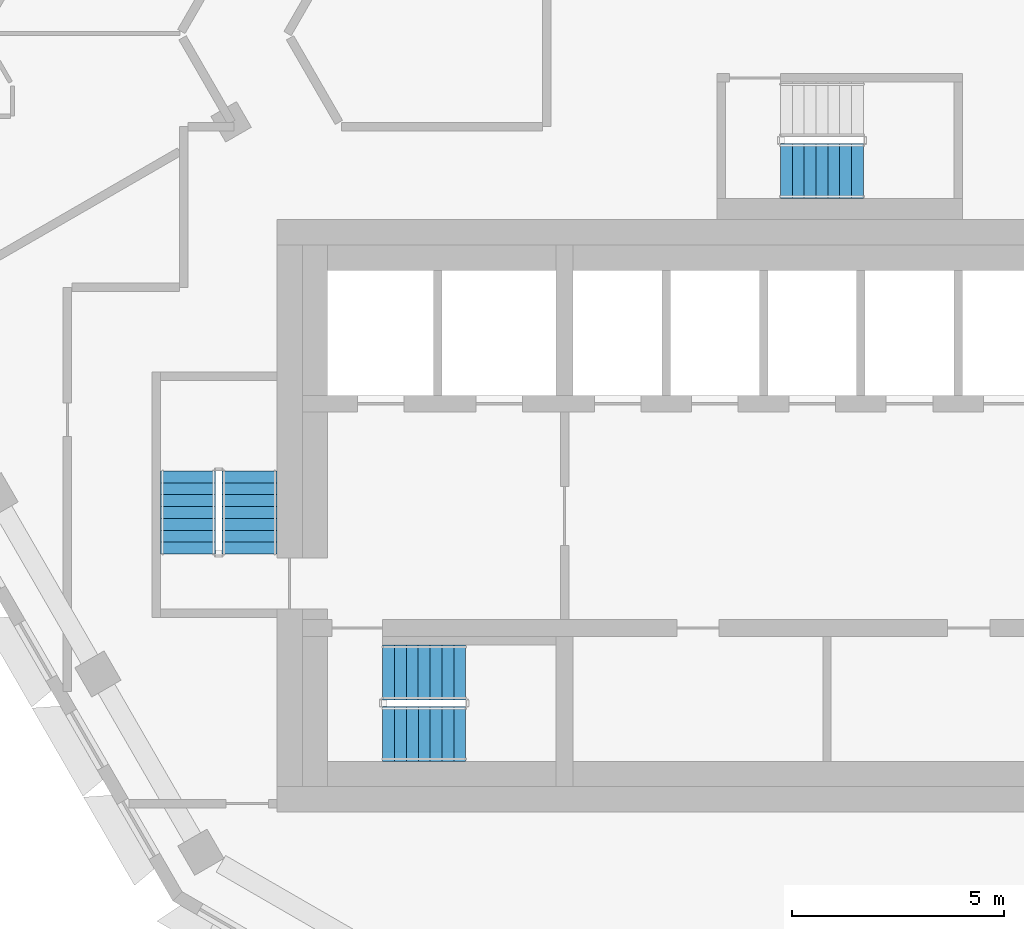
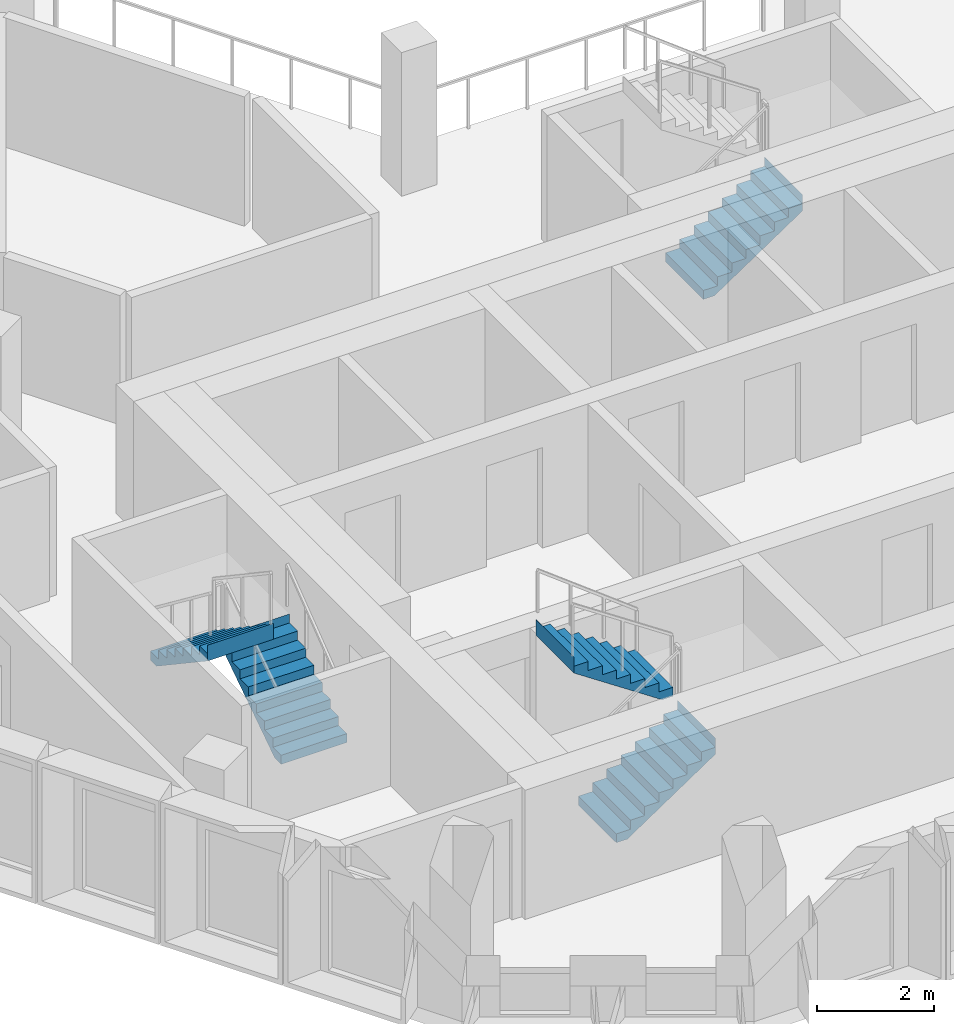
# One storey, part 12 of 18: 5 stair flights, 3 elements without a shape of their own.
"""IFC4 building model written with IfcOpenShell, lengths in metres."""

from ifc_helpers import new_model, si_unit, direction, frame, origin, place, context, subcontext, project, spatial, triangles, material, type_object, element, aggregate, save


model = new_model("IFC4")

# Units and contexts
model_context = context("Model", 3, precision=1e-05, world=origin(), true_north=direction((0.0, 1.0)))
body_context = subcontext(model_context, "Body", "Model", "MODEL_VIEW")
ifc_project = project(units=[si_unit("LENGTHUNIT", "METRE"), si_unit("AREAUNIT", "SQUARE_METRE"), si_unit("VOLUMEUNIT", "CUBIC_METRE"), si_unit("PLANEANGLEUNIT", "RADIAN"), si_unit("MASSUNIT", "GRAM", prefix="KILO")], contexts=[model_context])

# Site, building, storey
site_placement = place(None, origin())
site = spatial("IfcSite", under=ifc_project, at=site_placement, CompositionType="ELEMENT")
building_placement = place(site_placement, origin())
building = spatial("IfcBuilding", under=site, at=building_placement, Name="Beryl Residences", CompositionType="ELEMENT")
storey_placement = place(building_placement, frame((0.0, 0.0, 184.199951171875)))
storey = spatial("IfcBuildingStorey", under=building, at=storey_placement, Name="L56", CompositionType="ELEMENT", Elevation=184.199951171875)

# Stair, stair flights
ifc_material_1 = material(Name="Concrete C40/50", Category="concrete")
stair_type = type_object("IfcStairType", Name="ST1 protected exit stair, half-turn, 1300 mm flights", PredefinedType="HALF_TURN_STAIR", material=ifc_material_1)
stair_1_placement = place(storey_placement, origin())
stair_1 = element("IfcStair", 1, at=stair_1_placement, inside=storey, type_object=stair_type, Name="L56 PROTECTED EXIT STAIR ST-1", PredefinedType="HALF_TURN_STAIR")
ifc_material_2 = material(Name="Concrete C40/50", Category="concrete")
stair_flight_type = type_object("IfcStairFlightType", Name="SF1 stair flight 1300 mm", PredefinedType="STRAIGHT", material=ifc_material_2)
stair_flight_1_placement = place(storey_placement, frame((-10.800048828125, -17.14990234375, 0.0), z_axis=(0.0, 0.0, 1.0), x_axis=(1.0, 0.0, 0.0)))
stair_flight_1 = element("IfcStairFlight", 2, at=stair_flight_1_placement, type_object=stair_flight_type, Name="ST-1 flight 1", NumberOfRisers=8, NumberOfTreads=7, PredefinedType="STRAIGHT", RiserHeight=0.1875, TreadLength=0.28, context=body_context, shape_type="Tessellation", body=[
    triangles([(0.0, -0.64990234375, 0.0), (0.0, -0.324951171875, 0.0), (0.0, 0.0, 0.0), (0.0, 0.324951171875, 0.0), (0.0, 0.64990234375, 0.0), (0.0, -0.64990234375, 0.1875), (0.0, -0.324951171875, 0.1875), (0.0, 0.0, 0.1875), (0.0, 0.324951171875, 0.1875), (0.0, 0.64990234375, 0.1875), (0.280029296875, -0.64990234375, 0.1875), (0.280029296875, -0.324951171875, 0.1875), (0.280029296875, 0.0, 0.1875), (0.280029296875, 0.324951171875, 0.1875), (0.280029296875, 0.64990234375, 0.1875), (0.280029296875, -0.64990234375, 0.375), (0.280029296875, -0.324951171875, 0.375), (0.280029296875, 0.0, 0.375), (0.280029296875, 0.324951171875, 0.375), (0.280029296875, 0.64990234375, 0.375), (0.56005859375, -0.64990234375, 0.375), (0.56005859375, -0.324951171875, 0.375), (0.56005859375, 0.0, 0.375), (0.56005859375, 0.324951171875, 0.375), (0.56005859375, 0.64990234375, 0.375), (0.56005859375, -0.64990234375, 0.5625), (0.56005859375, -0.324951171875, 0.5625), (0.56005859375, 0.0, 0.5625), (0.56005859375, 0.324951171875, 0.5625), (0.56005859375, 0.64990234375, 0.5625), (0.840087890625, -0.64990234375, 0.5625), (0.840087890625, -0.324951171875, 0.5625), (0.840087890625, 0.0, 0.5625), (0.840087890625, 0.324951171875, 0.5625), (0.840087890625, 0.64990234375, 0.5625), (0.840087890625, -0.64990234375, 0.75), (0.840087890625, -0.324951171875, 0.75), (0.840087890625, 0.0, 0.75), (0.840087890625, 0.324951171875, 0.75), (0.840087890625, 0.64990234375, 0.75), (1.1201171875, -0.64990234375, 0.75), (1.1201171875, -0.324951171875, 0.75), (1.1201171875, 0.0, 0.75), (1.1201171875, 0.324951171875, 0.75), (1.1201171875, 0.64990234375, 0.75), (1.1201171875, -0.64990234375, 0.9375), (1.1201171875, -0.324951171875, 0.9375), (1.1201171875, 0.0, 0.9375), (1.1201171875, 0.324951171875, 0.9375), (1.1201171875, 0.64990234375, 0.9375), (1.39990234375, -0.64990234375, 0.9375), (1.39990234375, -0.324951171875, 0.9375), (1.39990234375, 0.0, 0.9375), (1.39990234375, 0.324951171875, 0.9375), (1.39990234375, 0.64990234375, 0.9375), (1.39990234375, -0.64990234375, 1.125), (1.39990234375, -0.324951171875, 1.125), (1.39990234375, 0.0, 1.125), (1.39990234375, 0.324951171875, 1.125), (1.39990234375, 0.64990234375, 1.125), (1.679931640625, -0.64990234375, 1.125), (1.679931640625, -0.324951171875, 1.125), (1.679931640625, 0.0, 1.125), (1.679931640625, 0.324951171875, 1.125), (1.679931640625, 0.64990234375, 1.125), (1.679931640625, -0.64990234375, 1.3125), (1.679931640625, -0.324951171875, 1.3125), (1.679931640625, 0.0, 1.3125), (1.679931640625, 0.324951171875, 1.3125), (1.679931640625, 0.64990234375, 1.3125), (1.9599609375, -0.64990234375, 1.3125), (1.9599609375, -0.324951171875, 1.3125), (1.9599609375, 0.0, 1.3125), (1.9599609375, 0.324951171875, 1.3125), (1.9599609375, 0.64990234375, 1.3125), (1.9599609375, -0.64990234375, 1.5), (1.9599609375, -0.324951171875, 1.5), (1.9599609375, 0.0, 1.5), (1.9599609375, 0.324951171875, 1.5), (1.9599609375, 0.64990234375, 1.5), (1.9609375, -0.64990234375, 1.5), (1.9609375, -0.324951171875, 1.5), (1.9609375, 0.0, 1.5), (1.9609375, 0.324951171875, 1.5), (1.9609375, 0.64990234375, 1.5), (1.9609375, -0.64990234375, 1.16796875), (1.9609375, -0.324951171875, 1.16796875), (1.9609375, 0.0, 1.16796875), (1.9609375, 0.324951171875, 1.16796875), (1.9609375, 0.64990234375, 1.16796875), (0.216796875, -0.64990234375, 0.0), (0.216796875, -0.324951171875, 0.0), (0.216796875, 0.0, 0.0), (0.216796875, 0.324951171875, 0.0), (0.216796875, 0.64990234375, 0.0)], [[1, 6, 7], [1, 7, 2], [2, 7, 8], [2, 8, 3], [3, 8, 9], [3, 9, 4], [4, 9, 10], [4, 10, 5], [6, 11, 12], [6, 12, 7], [7, 12, 13], [7, 13, 8], [8, 13, 14], [8, 14, 9], [9, 14, 15], [9, 15, 10], [11, 16, 17], [11, 17, 12], [12, 17, 18], [12, 18, 13], [13, 18, 19], [13, 19, 14], [14, 19, 20], [14, 20, 15], [16, 21, 22], [16, 22, 17], [17, 22, 23], [17, 23, 18], [18, 23, 24], [18, 24, 19], [19, 24, 25], [19, 25, 20], [21, 26, 27], [21, 27, 22], [22, 27, 28], [22, 28, 23], [23, 28, 29], [23, 29, 24], [24, 29, 30], [24, 30, 25], [26, 31, 32], [26, 32, 27], [27, 32, 33], [27, 33, 28], [28, 33, 34], [28, 34, 29], [29, 34, 35], [29, 35, 30], [31, 36, 37], [31, 37, 32], [32, 37, 38], [32, 38, 33], [33, 38, 39], [33, 39, 34], [34, 39, 40], [34, 40, 35], [36, 41, 42], [36, 42, 37], [37, 42, 43], [37, 43, 38], [38, 43, 44], [38, 44, 39], [39, 44, 45], [39, 45, 40], [41, 46, 47], [41, 47, 42], [42, 47, 48], [42, 48, 43], [43, 48, 49], [43, 49, 44], [44, 49, 50], [44, 50, 45], [46, 51, 52], [46, 52, 47], [47, 52, 53], [47, 53, 48], [48, 53, 54], [48, 54, 49], [49, 54, 55], [49, 55, 50], [51, 56, 57], [51, 57, 52], [52, 57, 58], [52, 58, 53], [53, 58, 59], [53, 59, 54], [54, 59, 60], [54, 60, 55], [56, 61, 62], [56, 62, 57], [57, 62, 63], [57, 63, 58], [58, 63, 64], [58, 64, 59], [59, 64, 65], [59, 65, 60], [61, 66, 67], [61, 67, 62], [62, 67, 68], [62, 68, 63], [63, 68, 69], [63, 69, 64], [64, 69, 70], [64, 70, 65], [66, 71, 72], [66, 72, 67], [67, 72, 73], [67, 73, 68], [68, 73, 74], [68, 74, 69], [69, 74, 75], [69, 75, 70], [71, 76, 77], [71, 77, 72], [72, 77, 78], [72, 78, 73], [73, 78, 79], [73, 79, 74], [74, 79, 80], [74, 80, 75], [76, 81, 82], [76, 82, 77], [77, 82, 83], [77, 83, 78], [78, 83, 84], [78, 84, 79], [79, 84, 85], [79, 85, 80], [81, 86, 87], [81, 87, 82], [82, 87, 88], [82, 88, 83], [83, 88, 89], [83, 89, 84], [84, 89, 90], [84, 90, 85], [86, 91, 92], [86, 92, 87], [87, 92, 93], [87, 93, 88], [88, 93, 94], [88, 94, 89], [89, 94, 95], [89, 95, 90], [91, 1, 2], [91, 2, 92], [92, 2, 3], [92, 3, 93], [93, 3, 4], [93, 4, 94], [94, 4, 5], [94, 5, 95], [1, 91, 86], [5, 90, 95], [86, 81, 76], [90, 80, 85], [86, 76, 71], [90, 75, 80], [86, 71, 66], [90, 70, 75], [86, 66, 61], [90, 65, 70], [61, 56, 51], [65, 55, 60], [86, 61, 51], [90, 55, 65], [51, 46, 41], [55, 45, 50], [86, 51, 41], [90, 45, 55], [41, 36, 31], [45, 35, 40], [86, 41, 31], [90, 35, 45], [31, 26, 21], [35, 25, 30], [86, 31, 21], [90, 25, 35], [21, 16, 11], [25, 15, 20], [86, 21, 11], [90, 15, 25], [1, 86, 11], [5, 15, 90], [11, 6, 1], [15, 5, 10]], closed=True),
])
stair_flight_2_placement = place(storey_placement, frame((-8.840087890625, -15.699951171875, 1.5), z_axis=(0.0, 0.0, 1.0), x_axis=(-1.0, 0.0, 0.0)))
stair_flight_2 = element("IfcStairFlight", 3, at=stair_flight_2_placement, type_object=stair_flight_type, Name="ST-1 flight 2", NumberOfRisers=8, NumberOfTreads=7, PredefinedType="STRAIGHT", RiserHeight=0.1875, TreadLength=0.28, context=body_context, shape_type="Tessellation", body=[
    triangles([(0.0, -0.64990234375, 0.0), (0.0, -0.324951171875, 0.0), (0.0, 0.0, 0.0), (0.0, 0.324951171875, 0.0), (0.0, 0.64990234375, 0.0), (0.0, -0.64990234375, 0.1875), (0.0, -0.324951171875, 0.1875), (0.0, 0.0, 0.1875), (0.0, 0.324951171875, 0.1875), (0.0, 0.64990234375, 0.1875), (0.280029296875, -0.64990234375, 0.1875), (0.280029296875, -0.324951171875, 0.1875), (0.280029296875, 0.0, 0.1875), (0.280029296875, 0.324951171875, 0.1875), (0.280029296875, 0.64990234375, 0.1875), (0.280029296875, -0.64990234375, 0.375), (0.280029296875, -0.324951171875, 0.375), (0.280029296875, 0.0, 0.375), (0.280029296875, 0.324951171875, 0.375), (0.280029296875, 0.64990234375, 0.375), (0.56005859375, -0.64990234375, 0.375), (0.56005859375, -0.324951171875, 0.375), (0.56005859375, 0.0, 0.375), (0.56005859375, 0.324951171875, 0.375), (0.56005859375, 0.64990234375, 0.375), (0.56005859375, -0.64990234375, 0.5625), (0.56005859375, -0.324951171875, 0.5625), (0.56005859375, 0.0, 0.5625), (0.56005859375, 0.324951171875, 0.5625), (0.56005859375, 0.64990234375, 0.5625), (0.840087890625, -0.64990234375, 0.5625), (0.840087890625, -0.324951171875, 0.5625), (0.840087890625, 0.0, 0.5625), (0.840087890625, 0.324951171875, 0.5625), (0.840087890625, 0.64990234375, 0.5625), (0.840087890625, -0.64990234375, 0.75), (0.840087890625, -0.324951171875, 0.75), (0.840087890625, 0.0, 0.75), (0.840087890625, 0.324951171875, 0.75), (0.840087890625, 0.64990234375, 0.75), (1.1201171875, -0.64990234375, 0.75), (1.1201171875, -0.324951171875, 0.75), (1.1201171875, 0.0, 0.75), (1.1201171875, 0.324951171875, 0.75), (1.1201171875, 0.64990234375, 0.75), (1.1201171875, -0.64990234375, 0.9375), (1.1201171875, -0.324951171875, 0.9375), (1.1201171875, 0.0, 0.9375), (1.1201171875, 0.324951171875, 0.9375), (1.1201171875, 0.64990234375, 0.9375), (1.39990234375, -0.64990234375, 0.9375), (1.39990234375, -0.324951171875, 0.9375), (1.39990234375, 0.0, 0.9375), (1.39990234375, 0.324951171875, 0.9375), (1.39990234375, 0.64990234375, 0.9375), (1.39990234375, -0.64990234375, 1.125), (1.39990234375, -0.324951171875, 1.125), (1.39990234375, 0.0, 1.125), (1.39990234375, 0.324951171875, 1.125), (1.39990234375, 0.64990234375, 1.125), (1.679931640625, -0.64990234375, 1.125), (1.679931640625, -0.324951171875, 1.125), (1.679931640625, 0.0, 1.125), (1.679931640625, 0.324951171875, 1.125), (1.679931640625, 0.64990234375, 1.125), (1.679931640625, -0.64990234375, 1.3125), (1.679931640625, -0.324951171875, 1.3125), (1.679931640625, 0.0, 1.3125), (1.679931640625, 0.324951171875, 1.3125), (1.679931640625, 0.64990234375, 1.3125), (1.9599609375, -0.64990234375, 1.3125), (1.9599609375, -0.324951171875, 1.3125), (1.9599609375, 0.0, 1.3125), (1.9599609375, 0.324951171875, 1.3125), (1.9599609375, 0.64990234375, 1.3125), (1.9599609375, -0.64990234375, 1.5), (1.9599609375, -0.324951171875, 1.5), (1.9599609375, 0.0, 1.5), (1.9599609375, 0.324951171875, 1.5), (1.9599609375, 0.64990234375, 1.5), (1.9609375, -0.64990234375, 1.5), (1.9609375, -0.324951171875, 1.5), (1.9609375, 0.0, 1.5), (1.9609375, 0.324951171875, 1.5), (1.9609375, 0.64990234375, 1.5), (1.9609375, -0.64990234375, 1.16796875), (1.9609375, -0.324951171875, 1.16796875), (1.9609375, 0.0, 1.16796875), (1.9609375, 0.324951171875, 1.16796875), (1.9609375, 0.64990234375, 1.16796875), (0.216796875, -0.64990234375, 0.0), (0.216796875, -0.324951171875, 0.0), (0.216796875, 0.0, 0.0), (0.216796875, 0.324951171875, 0.0), (0.216796875, 0.64990234375, 0.0)], [[1, 6, 7], [1, 7, 2], [2, 7, 8], [2, 8, 3], [3, 8, 9], [3, 9, 4], [4, 9, 10], [4, 10, 5], [6, 11, 12], [6, 12, 7], [7, 12, 13], [7, 13, 8], [8, 13, 14], [8, 14, 9], [9, 14, 15], [9, 15, 10], [11, 16, 17], [11, 17, 12], [12, 17, 18], [12, 18, 13], [13, 18, 19], [13, 19, 14], [14, 19, 20], [14, 20, 15], [16, 21, 22], [16, 22, 17], [17, 22, 23], [17, 23, 18], [18, 23, 24], [18, 24, 19], [19, 24, 25], [19, 25, 20], [21, 26, 27], [21, 27, 22], [22, 27, 28], [22, 28, 23], [23, 28, 29], [23, 29, 24], [24, 29, 30], [24, 30, 25], [26, 31, 32], [26, 32, 27], [27, 32, 33], [27, 33, 28], [28, 33, 34], [28, 34, 29], [29, 34, 35], [29, 35, 30], [31, 36, 37], [31, 37, 32], [32, 37, 38], [32, 38, 33], [33, 38, 39], [33, 39, 34], [34, 39, 40], [34, 40, 35], [36, 41, 42], [36, 42, 37], [37, 42, 43], [37, 43, 38], [38, 43, 44], [38, 44, 39], [39, 44, 45], [39, 45, 40], [41, 46, 47], [41, 47, 42], [42, 47, 48], [42, 48, 43], [43, 48, 49], [43, 49, 44], [44, 49, 50], [44, 50, 45], [46, 51, 52], [46, 52, 47], [47, 52, 53], [47, 53, 48], [48, 53, 54], [48, 54, 49], [49, 54, 55], [49, 55, 50], [51, 56, 57], [51, 57, 52], [52, 57, 58], [52, 58, 53], [53, 58, 59], [53, 59, 54], [54, 59, 60], [54, 60, 55], [56, 61, 62], [56, 62, 57], [57, 62, 63], [57, 63, 58], [58, 63, 64], [58, 64, 59], [59, 64, 65], [59, 65, 60], [61, 66, 67], [61, 67, 62], [62, 67, 68], [62, 68, 63], [63, 68, 69], [63, 69, 64], [64, 69, 70], [64, 70, 65], [66, 71, 72], [66, 72, 67], [67, 72, 73], [67, 73, 68], [68, 73, 74], [68, 74, 69], [69, 74, 75], [69, 75, 70], [71, 76, 77], [71, 77, 72], [72, 77, 78], [72, 78, 73], [73, 78, 79], [73, 79, 74], [74, 79, 80], [74, 80, 75], [76, 81, 82], [76, 82, 77], [77, 82, 83], [77, 83, 78], [78, 83, 84], [78, 84, 79], [79, 84, 85], [79, 85, 80], [81, 86, 87], [81, 87, 82], [82, 87, 88], [82, 88, 83], [83, 88, 89], [83, 89, 84], [84, 89, 90], [84, 90, 85], [86, 91, 92], [86, 92, 87], [87, 92, 93], [87, 93, 88], [88, 93, 94], [88, 94, 89], [89, 94, 95], [89, 95, 90], [91, 1, 2], [91, 2, 92], [92, 2, 3], [92, 3, 93], [93, 3, 4], [93, 4, 94], [94, 4, 5], [94, 5, 95], [1, 91, 86], [5, 90, 95], [86, 81, 76], [90, 80, 85], [86, 76, 71], [90, 75, 80], [86, 71, 66], [90, 70, 75], [86, 66, 61], [90, 65, 70], [61, 56, 51], [65, 55, 60], [86, 61, 51], [90, 55, 65], [51, 46, 41], [55, 45, 50], [86, 51, 41], [90, 45, 55], [41, 36, 31], [45, 35, 40], [86, 41, 31], [90, 35, 45], [31, 26, 21], [35, 25, 30], [86, 31, 21], [90, 25, 35], [21, 16, 11], [25, 15, 20], [86, 21, 11], [90, 15, 25], [1, 86, 11], [5, 15, 90], [11, 6, 1], [15, 5, 10]], closed=True),
])
aggregate(stair_1, [stair_flight_1, stair_flight_2])

stair_2_placement = place(storey_placement, origin())
stair_2 = element("IfcStair", 4, at=stair_2_placement, inside=storey, type_object=stair_type, Name="L56 PROTECTED EXIT STAIR ST-2", PredefinedType="HALF_TURN_STAIR")
stair_flight_3_placement = place(storey_placement, frame((-13.949951171875, -12.89990234375, 0.0), z_axis=(0.0, 0.0, 1.0), x_axis=(0.0, 1.0, 0.0)))
stair_flight_3 = element("IfcStairFlight", 5, at=stair_flight_3_placement, type_object=stair_flight_type, Name="ST-2 flight 1", NumberOfRisers=8, NumberOfTreads=7, PredefinedType="STRAIGHT", RiserHeight=0.1875, TreadLength=0.28, context=body_context, shape_type="Tessellation", body=[
    triangles([(0.0, -0.64990234375, 0.0), (0.0, -0.324951171875, 0.0), (0.0, 0.0, 0.0), (0.0, 0.324951171875, 0.0), (0.0, 0.64990234375, 0.0), (0.0, -0.64990234375, 0.1875), (0.0, -0.324951171875, 0.1875), (0.0, 0.0, 0.1875), (0.0, 0.324951171875, 0.1875), (0.0, 0.64990234375, 0.1875), (0.280029296875, -0.64990234375, 0.1875), (0.280029296875, -0.324951171875, 0.1875), (0.280029296875, 0.0, 0.1875), (0.280029296875, 0.324951171875, 0.1875), (0.280029296875, 0.64990234375, 0.1875), (0.280029296875, -0.64990234375, 0.375), (0.280029296875, -0.324951171875, 0.375), (0.280029296875, 0.0, 0.375), (0.280029296875, 0.324951171875, 0.375), (0.280029296875, 0.64990234375, 0.375), (0.56005859375, -0.64990234375, 0.375), (0.56005859375, -0.324951171875, 0.375), (0.56005859375, 0.0, 0.375), (0.56005859375, 0.324951171875, 0.375), (0.56005859375, 0.64990234375, 0.375), (0.56005859375, -0.64990234375, 0.5625), (0.56005859375, -0.324951171875, 0.5625), (0.56005859375, 0.0, 0.5625), (0.56005859375, 0.324951171875, 0.5625), (0.56005859375, 0.64990234375, 0.5625), (0.840087890625, -0.64990234375, 0.5625), (0.840087890625, -0.324951171875, 0.5625), (0.840087890625, 0.0, 0.5625), (0.840087890625, 0.324951171875, 0.5625), (0.840087890625, 0.64990234375, 0.5625), (0.840087890625, -0.64990234375, 0.75), (0.840087890625, -0.324951171875, 0.75), (0.840087890625, 0.0, 0.75), (0.840087890625, 0.324951171875, 0.75), (0.840087890625, 0.64990234375, 0.75), (1.1201171875, -0.64990234375, 0.75), (1.1201171875, -0.324951171875, 0.75), (1.1201171875, 0.0, 0.75), (1.1201171875, 0.324951171875, 0.75), (1.1201171875, 0.64990234375, 0.75), (1.1201171875, -0.64990234375, 0.9375), (1.1201171875, -0.324951171875, 0.9375), (1.1201171875, 0.0, 0.9375), (1.1201171875, 0.324951171875, 0.9375), (1.1201171875, 0.64990234375, 0.9375), (1.39990234375, -0.64990234375, 0.9375), (1.39990234375, -0.324951171875, 0.9375), (1.39990234375, 0.0, 0.9375), (1.39990234375, 0.324951171875, 0.9375), (1.39990234375, 0.64990234375, 0.9375), (1.39990234375, -0.64990234375, 1.125), (1.39990234375, -0.324951171875, 1.125), (1.39990234375, 0.0, 1.125), (1.39990234375, 0.324951171875, 1.125), (1.39990234375, 0.64990234375, 1.125), (1.679931640625, -0.64990234375, 1.125), (1.679931640625, -0.324951171875, 1.125), (1.679931640625, 0.0, 1.125), (1.679931640625, 0.324951171875, 1.125), (1.679931640625, 0.64990234375, 1.125), (1.679931640625, -0.64990234375, 1.3125), (1.679931640625, -0.324951171875, 1.3125), (1.679931640625, 0.0, 1.3125), (1.679931640625, 0.324951171875, 1.3125), (1.679931640625, 0.64990234375, 1.3125), (1.9599609375, -0.64990234375, 1.3125), (1.9599609375, -0.324951171875, 1.3125), (1.9599609375, 0.0, 1.3125), (1.9599609375, 0.324951171875, 1.3125), (1.9599609375, 0.64990234375, 1.3125), (1.9599609375, -0.64990234375, 1.5), (1.9599609375, -0.324951171875, 1.5), (1.9599609375, 0.0, 1.5), (1.9599609375, 0.324951171875, 1.5), (1.9599609375, 0.64990234375, 1.5), (1.9609375, -0.64990234375, 1.5), (1.9609375, -0.324951171875, 1.5), (1.9609375, 0.0, 1.5), (1.9609375, 0.324951171875, 1.5), (1.9609375, 0.64990234375, 1.5), (1.9609375, -0.64990234375, 1.16796875), (1.9609375, -0.324951171875, 1.16796875), (1.9609375, 0.0, 1.16796875), (1.9609375, 0.324951171875, 1.16796875), (1.9609375, 0.64990234375, 1.16796875), (0.216796875, -0.64990234375, 0.0), (0.216796875, -0.324951171875, 0.0), (0.216796875, 0.0, 0.0), (0.216796875, 0.324951171875, 0.0), (0.216796875, 0.64990234375, 0.0)], [[1, 6, 7], [1, 7, 2], [2, 7, 8], [2, 8, 3], [3, 8, 9], [3, 9, 4], [4, 9, 10], [4, 10, 5], [6, 11, 12], [6, 12, 7], [7, 12, 13], [7, 13, 8], [8, 13, 14], [8, 14, 9], [9, 14, 15], [9, 15, 10], [11, 16, 17], [11, 17, 12], [12, 17, 18], [12, 18, 13], [13, 18, 19], [13, 19, 14], [14, 19, 20], [14, 20, 15], [16, 21, 22], [16, 22, 17], [17, 22, 23], [17, 23, 18], [18, 23, 24], [18, 24, 19], [19, 24, 25], [19, 25, 20], [21, 26, 27], [21, 27, 22], [22, 27, 28], [22, 28, 23], [23, 28, 29], [23, 29, 24], [24, 29, 30], [24, 30, 25], [26, 31, 32], [26, 32, 27], [27, 32, 33], [27, 33, 28], [28, 33, 34], [28, 34, 29], [29, 34, 35], [29, 35, 30], [31, 36, 37], [31, 37, 32], [32, 37, 38], [32, 38, 33], [33, 38, 39], [33, 39, 34], [34, 39, 40], [34, 40, 35], [36, 41, 42], [36, 42, 37], [37, 42, 43], [37, 43, 38], [38, 43, 44], [38, 44, 39], [39, 44, 45], [39, 45, 40], [41, 46, 47], [41, 47, 42], [42, 47, 48], [42, 48, 43], [43, 48, 49], [43, 49, 44], [44, 49, 50], [44, 50, 45], [46, 51, 52], [46, 52, 47], [47, 52, 53], [47, 53, 48], [48, 53, 54], [48, 54, 49], [49, 54, 55], [49, 55, 50], [51, 56, 57], [51, 57, 52], [52, 57, 58], [52, 58, 53], [53, 58, 59], [53, 59, 54], [54, 59, 60], [54, 60, 55], [56, 61, 62], [56, 62, 57], [57, 62, 63], [57, 63, 58], [58, 63, 64], [58, 64, 59], [59, 64, 65], [59, 65, 60], [61, 66, 67], [61, 67, 62], [62, 67, 68], [62, 68, 63], [63, 68, 69], [63, 69, 64], [64, 69, 70], [64, 70, 65], [66, 71, 72], [66, 72, 67], [67, 72, 73], [67, 73, 68], [68, 73, 74], [68, 74, 69], [69, 74, 75], [69, 75, 70], [71, 76, 77], [71, 77, 72], [72, 77, 78], [72, 78, 73], [73, 78, 79], [73, 79, 74], [74, 79, 80], [74, 80, 75], [76, 81, 82], [76, 82, 77], [77, 82, 83], [77, 83, 78], [78, 83, 84], [78, 84, 79], [79, 84, 85], [79, 85, 80], [81, 86, 87], [81, 87, 82], [82, 87, 88], [82, 88, 83], [83, 88, 89], [83, 89, 84], [84, 89, 90], [84, 90, 85], [86, 91, 92], [86, 92, 87], [87, 92, 93], [87, 93, 88], [88, 93, 94], [88, 94, 89], [89, 94, 95], [89, 95, 90], [91, 1, 2], [91, 2, 92], [92, 2, 3], [92, 3, 93], [93, 3, 4], [93, 4, 94], [94, 4, 5], [94, 5, 95], [1, 91, 86], [5, 90, 95], [86, 81, 76], [90, 80, 85], [86, 76, 71], [90, 75, 80], [86, 71, 66], [90, 70, 75], [86, 66, 61], [90, 65, 70], [61, 56, 51], [65, 55, 60], [86, 61, 51], [90, 55, 65], [51, 46, 41], [55, 45, 50], [86, 51, 41], [90, 45, 55], [41, 36, 31], [45, 35, 40], [86, 41, 31], [90, 35, 45], [31, 26, 21], [35, 25, 30], [86, 31, 21], [90, 25, 35], [21, 16, 11], [25, 15, 20], [86, 21, 11], [90, 15, 25], [1, 86, 11], [5, 15, 90], [11, 6, 1], [15, 5, 10]], closed=True),
])
stair_flight_4_placement = place(storey_placement, frame((-15.39990234375, -10.93994140625, 1.5), z_axis=(0.0, 0.0, 1.0), x_axis=(0.0, -1.0, 0.0)))
stair_flight_4 = element("IfcStairFlight", 6, at=stair_flight_4_placement, type_object=stair_flight_type, Name="ST-2 flight 2", NumberOfRisers=8, NumberOfTreads=7, PredefinedType="STRAIGHT", RiserHeight=0.1875, TreadLength=0.28, context=body_context, shape_type="Tessellation", body=[
    triangles([(0.0, -0.64990234375, 0.0), (0.0, -0.324951171875, 0.0), (0.0, 0.0, 0.0), (0.0, 0.324951171875, 0.0), (0.0, 0.64990234375, 0.0), (0.0, -0.64990234375, 0.1875), (0.0, -0.324951171875, 0.1875), (0.0, 0.0, 0.1875), (0.0, 0.324951171875, 0.1875), (0.0, 0.64990234375, 0.1875), (0.280029296875, -0.64990234375, 0.1875), (0.280029296875, -0.324951171875, 0.1875), (0.280029296875, 0.0, 0.1875), (0.280029296875, 0.324951171875, 0.1875), (0.280029296875, 0.64990234375, 0.1875), (0.280029296875, -0.64990234375, 0.375), (0.280029296875, -0.324951171875, 0.375), (0.280029296875, 0.0, 0.375), (0.280029296875, 0.324951171875, 0.375), (0.280029296875, 0.64990234375, 0.375), (0.56005859375, -0.64990234375, 0.375), (0.56005859375, -0.324951171875, 0.375), (0.56005859375, 0.0, 0.375), (0.56005859375, 0.324951171875, 0.375), (0.56005859375, 0.64990234375, 0.375), (0.56005859375, -0.64990234375, 0.5625), (0.56005859375, -0.324951171875, 0.5625), (0.56005859375, 0.0, 0.5625), (0.56005859375, 0.324951171875, 0.5625), (0.56005859375, 0.64990234375, 0.5625), (0.840087890625, -0.64990234375, 0.5625), (0.840087890625, -0.324951171875, 0.5625), (0.840087890625, 0.0, 0.5625), (0.840087890625, 0.324951171875, 0.5625), (0.840087890625, 0.64990234375, 0.5625), (0.840087890625, -0.64990234375, 0.75), (0.840087890625, -0.324951171875, 0.75), (0.840087890625, 0.0, 0.75), (0.840087890625, 0.324951171875, 0.75), (0.840087890625, 0.64990234375, 0.75), (1.1201171875, -0.64990234375, 0.75), (1.1201171875, -0.324951171875, 0.75), (1.1201171875, 0.0, 0.75), (1.1201171875, 0.324951171875, 0.75), (1.1201171875, 0.64990234375, 0.75), (1.1201171875, -0.64990234375, 0.9375), (1.1201171875, -0.324951171875, 0.9375), (1.1201171875, 0.0, 0.9375), (1.1201171875, 0.324951171875, 0.9375), (1.1201171875, 0.64990234375, 0.9375), (1.39990234375, -0.64990234375, 0.9375), (1.39990234375, -0.324951171875, 0.9375), (1.39990234375, 0.0, 0.9375), (1.39990234375, 0.324951171875, 0.9375), (1.39990234375, 0.64990234375, 0.9375), (1.39990234375, -0.64990234375, 1.125), (1.39990234375, -0.324951171875, 1.125), (1.39990234375, 0.0, 1.125), (1.39990234375, 0.324951171875, 1.125), (1.39990234375, 0.64990234375, 1.125), (1.679931640625, -0.64990234375, 1.125), (1.679931640625, -0.324951171875, 1.125), (1.679931640625, 0.0, 1.125), (1.679931640625, 0.324951171875, 1.125), (1.679931640625, 0.64990234375, 1.125), (1.679931640625, -0.64990234375, 1.3125), (1.679931640625, -0.324951171875, 1.3125), (1.679931640625, 0.0, 1.3125), (1.679931640625, 0.324951171875, 1.3125), (1.679931640625, 0.64990234375, 1.3125), (1.9599609375, -0.64990234375, 1.3125), (1.9599609375, -0.324951171875, 1.3125), (1.9599609375, 0.0, 1.3125), (1.9599609375, 0.324951171875, 1.3125), (1.9599609375, 0.64990234375, 1.3125), (1.9599609375, -0.64990234375, 1.5), (1.9599609375, -0.324951171875, 1.5), (1.9599609375, 0.0, 1.5), (1.9599609375, 0.324951171875, 1.5), (1.9599609375, 0.64990234375, 1.5), (1.9609375, -0.64990234375, 1.5), (1.9609375, -0.324951171875, 1.5), (1.9609375, 0.0, 1.5), (1.9609375, 0.324951171875, 1.5), (1.9609375, 0.64990234375, 1.5), (1.9609375, -0.64990234375, 1.16796875), (1.9609375, -0.324951171875, 1.16796875), (1.9609375, 0.0, 1.16796875), (1.9609375, 0.324951171875, 1.16796875), (1.9609375, 0.64990234375, 1.16796875), (0.216796875, -0.64990234375, 0.0), (0.216796875, -0.324951171875, 0.0), (0.216796875, 0.0, 0.0), (0.216796875, 0.324951171875, 0.0), (0.216796875, 0.64990234375, 0.0)], [[1, 6, 7], [1, 7, 2], [2, 7, 8], [2, 8, 3], [3, 8, 9], [3, 9, 4], [4, 9, 10], [4, 10, 5], [6, 11, 12], [6, 12, 7], [7, 12, 13], [7, 13, 8], [8, 13, 14], [8, 14, 9], [9, 14, 15], [9, 15, 10], [11, 16, 17], [11, 17, 12], [12, 17, 18], [12, 18, 13], [13, 18, 19], [13, 19, 14], [14, 19, 20], [14, 20, 15], [16, 21, 22], [16, 22, 17], [17, 22, 23], [17, 23, 18], [18, 23, 24], [18, 24, 19], [19, 24, 25], [19, 25, 20], [21, 26, 27], [21, 27, 22], [22, 27, 28], [22, 28, 23], [23, 28, 29], [23, 29, 24], [24, 29, 30], [24, 30, 25], [26, 31, 32], [26, 32, 27], [27, 32, 33], [27, 33, 28], [28, 33, 34], [28, 34, 29], [29, 34, 35], [29, 35, 30], [31, 36, 37], [31, 37, 32], [32, 37, 38], [32, 38, 33], [33, 38, 39], [33, 39, 34], [34, 39, 40], [34, 40, 35], [36, 41, 42], [36, 42, 37], [37, 42, 43], [37, 43, 38], [38, 43, 44], [38, 44, 39], [39, 44, 45], [39, 45, 40], [41, 46, 47], [41, 47, 42], [42, 47, 48], [42, 48, 43], [43, 48, 49], [43, 49, 44], [44, 49, 50], [44, 50, 45], [46, 51, 52], [46, 52, 47], [47, 52, 53], [47, 53, 48], [48, 53, 54], [48, 54, 49], [49, 54, 55], [49, 55, 50], [51, 56, 57], [51, 57, 52], [52, 57, 58], [52, 58, 53], [53, 58, 59], [53, 59, 54], [54, 59, 60], [54, 60, 55], [56, 61, 62], [56, 62, 57], [57, 62, 63], [57, 63, 58], [58, 63, 64], [58, 64, 59], [59, 64, 65], [59, 65, 60], [61, 66, 67], [61, 67, 62], [62, 67, 68], [62, 68, 63], [63, 68, 69], [63, 69, 64], [64, 69, 70], [64, 70, 65], [66, 71, 72], [66, 72, 67], [67, 72, 73], [67, 73, 68], [68, 73, 74], [68, 74, 69], [69, 74, 75], [69, 75, 70], [71, 76, 77], [71, 77, 72], [72, 77, 78], [72, 78, 73], [73, 78, 79], [73, 79, 74], [74, 79, 80], [74, 80, 75], [76, 81, 82], [76, 82, 77], [77, 82, 83], [77, 83, 78], [78, 83, 84], [78, 84, 79], [79, 84, 85], [79, 85, 80], [81, 86, 87], [81, 87, 82], [82, 87, 88], [82, 88, 83], [83, 88, 89], [83, 89, 84], [84, 89, 90], [84, 90, 85], [86, 91, 92], [86, 92, 87], [87, 92, 93], [87, 93, 88], [88, 93, 94], [88, 94, 89], [89, 94, 95], [89, 95, 90], [91, 1, 2], [91, 2, 92], [92, 2, 3], [92, 3, 93], [93, 3, 4], [93, 4, 94], [94, 4, 5], [94, 5, 95], [1, 91, 86], [5, 90, 95], [86, 81, 76], [90, 80, 85], [86, 76, 71], [90, 75, 80], [86, 71, 66], [90, 70, 75], [86, 66, 61], [90, 65, 70], [61, 56, 51], [65, 55, 60], [86, 61, 51], [90, 55, 65], [51, 46, 41], [55, 45, 50], [86, 51, 41], [90, 45, 55], [41, 36, 31], [45, 35, 40], [86, 41, 31], [90, 35, 45], [31, 26, 21], [35, 25, 30], [86, 31, 21], [90, 25, 35], [21, 16, 11], [25, 15, 20], [86, 21, 11], [90, 15, 25], [1, 86, 11], [5, 15, 90], [11, 6, 1], [15, 5, 10]], closed=True),
])
aggregate(stair_2, [stair_flight_3, stair_flight_4])

# Stair, stair flight
stair_3_placement = place(storey_placement, origin())
stair_3 = element("IfcStair", 7, at=stair_3_placement, inside=storey, type_object=stair_type, Name="L56 PROTECTED EXIT STAIR ST-4", PredefinedType="HALF_TURN_STAIR")
stair_flight_5_placement = place(storey_placement, frame((-1.39990234375, -3.85009765625, 0.0), z_axis=(0.0, 0.0, 1.0), x_axis=(1.0, 0.0, 0.0)))
stair_flight_5 = element("IfcStairFlight", 8, at=stair_flight_5_placement, type_object=stair_flight_type, Name="ST-4 flight 1", NumberOfRisers=8, NumberOfTreads=7, PredefinedType="STRAIGHT", RiserHeight=0.1875, TreadLength=0.28, context=body_context, shape_type="Tessellation", body=[
    triangles([(0.0, -0.64990234375, 0.0), (0.0, -0.324951171875, 0.0), (0.0, 0.0, 0.0), (0.0, 0.324951171875, 0.0), (0.0, 0.64990234375, 0.0), (0.0, -0.64990234375, 0.1875), (0.0, -0.324951171875, 0.1875), (0.0, 0.0, 0.1875), (0.0, 0.324951171875, 0.1875), (0.0, 0.64990234375, 0.1875), (0.280029296875, -0.64990234375, 0.1875), (0.280029296875, -0.324951171875, 0.1875), (0.280029296875, 0.0, 0.1875), (0.280029296875, 0.324951171875, 0.1875), (0.280029296875, 0.64990234375, 0.1875), (0.280029296875, -0.64990234375, 0.375), (0.280029296875, -0.324951171875, 0.375), (0.280029296875, 0.0, 0.375), (0.280029296875, 0.324951171875, 0.375), (0.280029296875, 0.64990234375, 0.375), (0.56005859375, -0.64990234375, 0.375), (0.56005859375, -0.324951171875, 0.375), (0.56005859375, 0.0, 0.375), (0.56005859375, 0.324951171875, 0.375), (0.56005859375, 0.64990234375, 0.375), (0.56005859375, -0.64990234375, 0.5625), (0.56005859375, -0.324951171875, 0.5625), (0.56005859375, 0.0, 0.5625), (0.56005859375, 0.324951171875, 0.5625), (0.56005859375, 0.64990234375, 0.5625), (0.840087890625, -0.64990234375, 0.5625), (0.840087890625, -0.324951171875, 0.5625), (0.840087890625, 0.0, 0.5625), (0.840087890625, 0.324951171875, 0.5625), (0.840087890625, 0.64990234375, 0.5625), (0.840087890625, -0.64990234375, 0.75), (0.840087890625, -0.324951171875, 0.75), (0.840087890625, 0.0, 0.75), (0.840087890625, 0.324951171875, 0.75), (0.840087890625, 0.64990234375, 0.75), (1.1201171875, -0.64990234375, 0.75), (1.1201171875, -0.324951171875, 0.75), (1.1201171875, 0.0, 0.75), (1.1201171875, 0.324951171875, 0.75), (1.1201171875, 0.64990234375, 0.75), (1.1201171875, -0.64990234375, 0.9375), (1.1201171875, -0.324951171875, 0.9375), (1.1201171875, 0.0, 0.9375), (1.1201171875, 0.324951171875, 0.9375), (1.1201171875, 0.64990234375, 0.9375), (1.39990234375, -0.64990234375, 0.9375), (1.39990234375, -0.324951171875, 0.9375), (1.39990234375, 0.0, 0.9375), (1.39990234375, 0.324951171875, 0.9375), (1.39990234375, 0.64990234375, 0.9375), (1.39990234375, -0.64990234375, 1.125), (1.39990234375, -0.324951171875, 1.125), (1.39990234375, 0.0, 1.125), (1.39990234375, 0.324951171875, 1.125), (1.39990234375, 0.64990234375, 1.125), (1.679931640625, -0.64990234375, 1.125), (1.679931640625, -0.324951171875, 1.125), (1.679931640625, 0.0, 1.125), (1.679931640625, 0.324951171875, 1.125), (1.679931640625, 0.64990234375, 1.125), (1.679931640625, -0.64990234375, 1.3125), (1.679931640625, -0.324951171875, 1.3125), (1.679931640625, 0.0, 1.3125), (1.679931640625, 0.324951171875, 1.3125), (1.679931640625, 0.64990234375, 1.3125), (1.9599609375, -0.64990234375, 1.3125), (1.9599609375, -0.324951171875, 1.3125), (1.9599609375, 0.0, 1.3125), (1.9599609375, 0.324951171875, 1.3125), (1.9599609375, 0.64990234375, 1.3125), (1.9599609375, -0.64990234375, 1.5), (1.9599609375, -0.324951171875, 1.5), (1.9599609375, 0.0, 1.5), (1.9599609375, 0.324951171875, 1.5), (1.9599609375, 0.64990234375, 1.5), (1.9609375, -0.64990234375, 1.5), (1.9609375, -0.324951171875, 1.5), (1.9609375, 0.0, 1.5), (1.9609375, 0.324951171875, 1.5), (1.9609375, 0.64990234375, 1.5), (1.9609375, -0.64990234375, 1.16796875), (1.9609375, -0.324951171875, 1.16796875), (1.9609375, 0.0, 1.16796875), (1.9609375, 0.324951171875, 1.16796875), (1.9609375, 0.64990234375, 1.16796875), (0.216796875, -0.64990234375, 0.0), (0.216796875, -0.324951171875, 0.0), (0.216796875, 0.0, 0.0), (0.216796875, 0.324951171875, 0.0), (0.216796875, 0.64990234375, 0.0)], [[1, 6, 7], [1, 7, 2], [2, 7, 8], [2, 8, 3], [3, 8, 9], [3, 9, 4], [4, 9, 10], [4, 10, 5], [6, 11, 12], [6, 12, 7], [7, 12, 13], [7, 13, 8], [8, 13, 14], [8, 14, 9], [9, 14, 15], [9, 15, 10], [11, 16, 17], [11, 17, 12], [12, 17, 18], [12, 18, 13], [13, 18, 19], [13, 19, 14], [14, 19, 20], [14, 20, 15], [16, 21, 22], [16, 22, 17], [17, 22, 23], [17, 23, 18], [18, 23, 24], [18, 24, 19], [19, 24, 25], [19, 25, 20], [21, 26, 27], [21, 27, 22], [22, 27, 28], [22, 28, 23], [23, 28, 29], [23, 29, 24], [24, 29, 30], [24, 30, 25], [26, 31, 32], [26, 32, 27], [27, 32, 33], [27, 33, 28], [28, 33, 34], [28, 34, 29], [29, 34, 35], [29, 35, 30], [31, 36, 37], [31, 37, 32], [32, 37, 38], [32, 38, 33], [33, 38, 39], [33, 39, 34], [34, 39, 40], [34, 40, 35], [36, 41, 42], [36, 42, 37], [37, 42, 43], [37, 43, 38], [38, 43, 44], [38, 44, 39], [39, 44, 45], [39, 45, 40], [41, 46, 47], [41, 47, 42], [42, 47, 48], [42, 48, 43], [43, 48, 49], [43, 49, 44], [44, 49, 50], [44, 50, 45], [46, 51, 52], [46, 52, 47], [47, 52, 53], [47, 53, 48], [48, 53, 54], [48, 54, 49], [49, 54, 55], [49, 55, 50], [51, 56, 57], [51, 57, 52], [52, 57, 58], [52, 58, 53], [53, 58, 59], [53, 59, 54], [54, 59, 60], [54, 60, 55], [56, 61, 62], [56, 62, 57], [57, 62, 63], [57, 63, 58], [58, 63, 64], [58, 64, 59], [59, 64, 65], [59, 65, 60], [61, 66, 67], [61, 67, 62], [62, 67, 68], [62, 68, 63], [63, 68, 69], [63, 69, 64], [64, 69, 70], [64, 70, 65], [66, 71, 72], [66, 72, 67], [67, 72, 73], [67, 73, 68], [68, 73, 74], [68, 74, 69], [69, 74, 75], [69, 75, 70], [71, 76, 77], [71, 77, 72], [72, 77, 78], [72, 78, 73], [73, 78, 79], [73, 79, 74], [74, 79, 80], [74, 80, 75], [76, 81, 82], [76, 82, 77], [77, 82, 83], [77, 83, 78], [78, 83, 84], [78, 84, 79], [79, 84, 85], [79, 85, 80], [81, 86, 87], [81, 87, 82], [82, 87, 88], [82, 88, 83], [83, 88, 89], [83, 89, 84], [84, 89, 90], [84, 90, 85], [86, 91, 92], [86, 92, 87], [87, 92, 93], [87, 93, 88], [88, 93, 94], [88, 94, 89], [89, 94, 95], [89, 95, 90], [91, 1, 2], [91, 2, 92], [92, 2, 3], [92, 3, 93], [93, 3, 4], [93, 4, 94], [94, 4, 5], [94, 5, 95], [1, 91, 86], [5, 90, 95], [86, 81, 76], [90, 80, 85], [86, 76, 71], [90, 75, 80], [86, 71, 66], [90, 70, 75], [86, 66, 61], [90, 65, 70], [61, 56, 51], [65, 55, 60], [86, 61, 51], [90, 55, 65], [51, 46, 41], [55, 45, 50], [86, 51, 41], [90, 45, 55], [41, 36, 31], [45, 35, 40], [86, 41, 31], [90, 35, 45], [31, 26, 21], [35, 25, 30], [86, 31, 21], [90, 25, 35], [21, 16, 11], [25, 15, 20], [86, 21, 11], [90, 15, 25], [1, 86, 11], [5, 15, 90], [11, 6, 1], [15, 5, 10]], closed=True),
])
aggregate(stair_3, [stair_flight_5])

save(model, "model.ifc")
